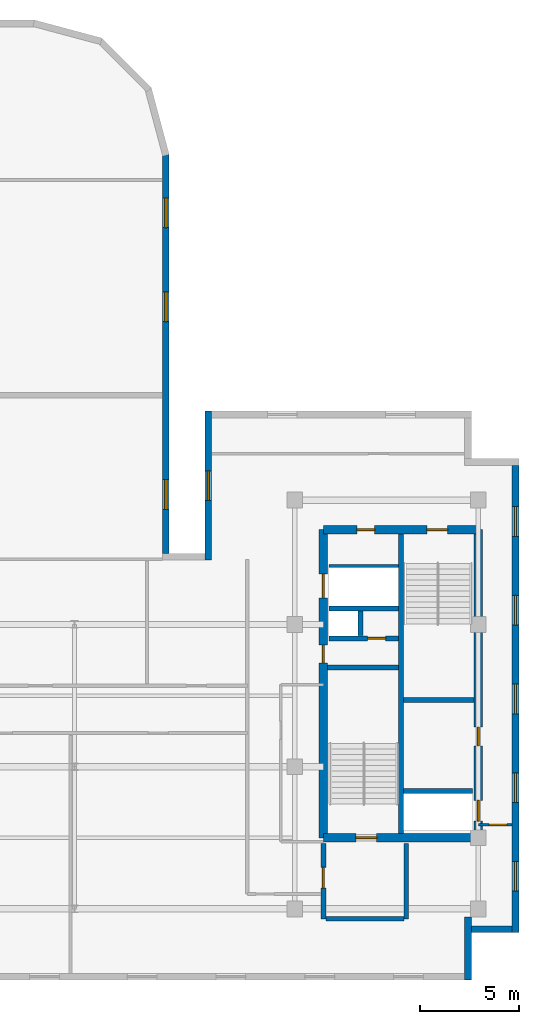
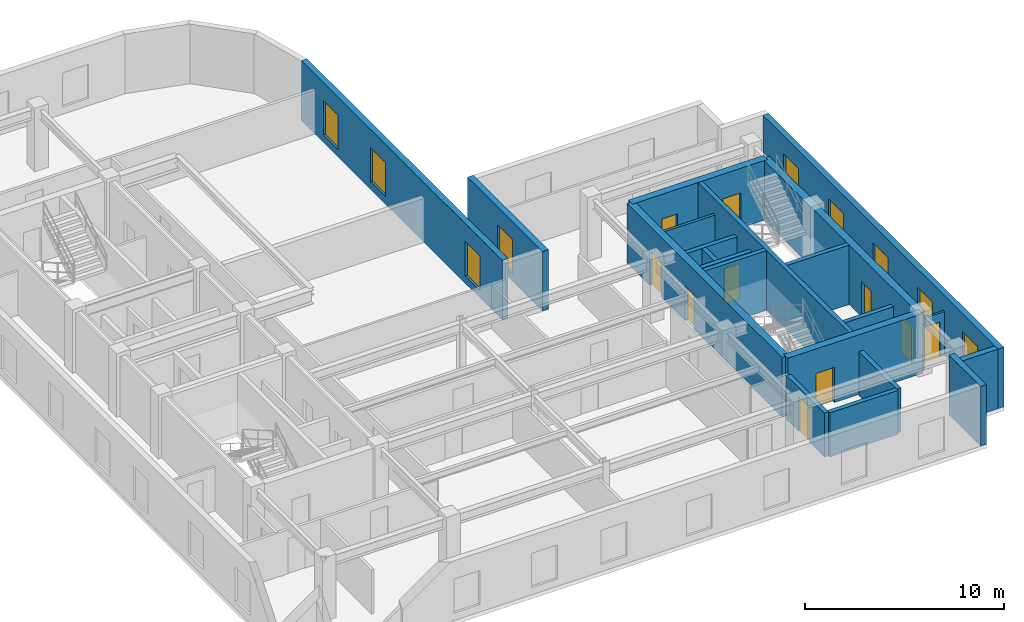
# One storey, part 5 of 9: 21 walls, 10 doors, 9 windows, 19 openings.
"""IFC4 building model written with IfcOpenShell, lengths in metres."""

from ifc_helpers import new_model, entity, si_unit, converted_unit, direction, frame, origin_with_axes, origin_2d_with_axis, place, context, subcontext, project, spatial, polyline, rectangle, outline, extrude, material, layer, layer_set, type_object, element, fill, save


model = new_model("IFC4")

# Units and contexts
model_context = context("Model", 3, precision=1e-05, world=origin_with_axes(), true_north=direction((0.0, 1.0)))
body_context = subcontext(model_context, "Body", "Model", "MODEL_VIEW")
ifc_project = project(units=[si_unit("LENGTHUNIT", "METRE"), si_unit("AREAUNIT", "SQUARE_METRE"), si_unit("VOLUMEUNIT", "CUBIC_METRE"), converted_unit("PLANEANGLEUNIT", "DEGREE", entity("IfcPlaneAngleMeasure", 0.017453292519943295), si_unit("PLANEANGLEUNIT", "RADIAN"), dimensions=[0, 0, 0, 0, 0, 0, 0]), si_unit("MASSUNIT", "GRAM", prefix="KILO"), si_unit("THERMODYNAMICTEMPERATUREUNIT", "KELVIN")], contexts=[model_context])

# Site, building, storey
site_placement = place(None, origin_with_axes())
site = spatial("IfcSite", under=ifc_project, at=site_placement, CompositionType="ELEMENT")
building_placement = place(site_placement, origin_with_axes())
building = spatial("IfcBuilding", under=site, at=building_placement, Name="Varnlund Millrace Tower", CompositionType="ELEMENT")
storey_placement = place(building_placement, frame((0.0, 0.0, 256.8), z_axis=(0.0, 0.0, 1.0), x_axis=(1.0, 0.0, 0.0)))
storey = spatial("IfcBuildingStorey", under=building, at=storey_placement, Name="L63", CompositionType="ELEMENT", Elevation=256.8)

# Wall, openings, doors
ifc_material_1 = material(Name="Concrete C60/75", Category="concrete")
ifc_layer_1 = layer(ifc_material_1, 0.42, Name="Concrete C60/75")
ifc_layer_set_1 = layer_set([ifc_layer_1], Name="Concrete C60/75")
wall_type_1 = type_object("IfcWallType", Name="Type-CoreWall-Shear-420-C60", PredefinedType="SHEAR", material=ifc_layer_set_1)
wall_1_placement = place(storey_placement, frame((40.2, 7.2, 0.0), z_axis=(0.0, 0.0, 1.0), x_axis=(0.0, 1.0, 0.0)))
wall_1 = element("IfcWall", 1, at=wall_1_placement, inside=storey, type_object=wall_type_1, Name="Type-CoreWall-Shear-420-C60", PredefinedType="SHEAR", context=body_context, shape_type="SweptSolid", body=[
    extrude(outline(polyline([(0.0, -0.21), (15.6, -0.21), (15.6, 0.21), (0.0, 0.21), (0.0, -0.21)])), origin_with_axes(), (0.0, 0.0, 1.0), 3.66),
])
opening_1_placement = place(wall_1_placement, frame((12.75, 0.0, 0.0), z_axis=(0.0, 0.0, 1.0), x_axis=(1.0, 0.0, 0.0)))
opening_1 = element("IfcOpeningElement", 2, at=opening_1_placement, cuts=wall_1, Name="Opening L63:LD-SRV2", PredefinedType="OPENING", context=body_context, shape_type="SweptSolid", body=[
    extrude(rectangle(XDim=1.2, YDim=0.44, at=origin_2d_with_axis()), origin_with_axes(), (0.0, 0.0, 1.0), 2.15),
])
opening_2_placement = place(wall_1_placement, frame((9.3, 0.0, 0.0), z_axis=(0.0, 0.0, 1.0), x_axis=(1.0, 0.0, 0.0)))
opening_2 = element("IfcOpeningElement", 3, at=opening_2_placement, cuts=wall_1, Name="Opening L63:DR-CB-JAN", PredefinedType="OPENING", context=body_context, shape_type="SweptSolid", body=[
    extrude(rectangle(XDim=0.9, YDim=0.44, at=origin_2d_with_axis()), origin_with_axes(), (0.0, 0.0, 1.0), 2.15),
])
ifc_material_2 = material(Name="Fire-rated hollow steel service closet door", Category="steel")
door_type_1 = type_object("IfcDoorType", Name="Type-FireDoor-Closet-900X2150", OperationType="NOTDEFINED", PredefinedType="DOOR", material=ifc_material_2)
door_1_placement = place(wall_1_placement, frame((9.3, 0.0, 0.0), z_axis=(0.0, 0.0, 1.0), x_axis=(1.0, 0.0, 0.0)))
door_1 = element("IfcDoor", 4, at=door_1_placement, inside=storey, type_object=door_type_1, Name="Type-FireDoor-Closet-900X2150", OperationType="SINGLE_SWING_RIGHT", OverallHeight=2.15, OverallWidth=0.9, PredefinedType="DOOR", context=body_context, shape_type="SweptSolid", body=[
    extrude(rectangle(XDim=0.9, YDim=0.09, at=origin_2d_with_axis()), origin_with_axes(), (0.0, 0.0, 1.0), 2.15),
])
fill(opening_2, door_1)
ifc_material_3 = material(Name="Heavy-duty freight sliding landing door")
door_type_2 = type_object("IfcDoorType", Name="Type-LiftLandingDoor-Service-1200X2150", OperationType="NOTDEFINED", PredefinedType="DOOR", material=ifc_material_3)
door_2_placement = place(wall_1_placement, frame((12.75, 0.0, 0.0), z_axis=(0.0, 0.0, 1.0), x_axis=(1.0, 0.0, 0.0)))
door_2 = element("IfcDoor", 5, at=door_2_placement, inside=storey, type_object=door_type_2, Name="Type-LiftLandingDoor-Service-1200X2150", OperationType="DOUBLE_DOOR_SLIDING", OverallHeight=2.15, OverallWidth=1.2, PredefinedType="DOOR", context=body_context, shape_type="SweptSolid", body=[
    extrude(rectangle(XDim=1.2, YDim=0.09, at=origin_2d_with_axis()), origin_with_axes(), (0.0, 0.0, 1.0), 2.15),
])
fill(opening_1, door_2)

# Wall, opening, door
wall_2_placement = place(storey_placement, frame((40.2, 7.2, 0.0), z_axis=(0.0, 0.0, 1.0), x_axis=(1.0, 0.0, 0.0)))
wall_2 = element("IfcWall", 6, at=wall_2_placement, inside=storey, type_object=wall_type_1, Name="Type-CoreWall-Shear-420-C60", PredefinedType="SHEAR", context=body_context, shape_type="SweptSolid", body=[
    extrude(outline(polyline([(0.0, -0.21), (7.85, -0.21), (7.85, 0.21), (0.0, 0.21), (0.0, -0.21)])), origin_with_axes(), (0.0, 0.0, 1.0), 3.66),
])
opening_3_placement = place(wall_2_placement, frame((2.175, 0.0, 0.0), z_axis=(0.0, 0.0, 1.0), x_axis=(1.0, 0.0, 0.0)))
opening_3 = element("IfcOpeningElement", 7, at=opening_3_placement, cuts=wall_2, Name="Opening L63:DR-STB1", PredefinedType="OPENING", context=body_context, shape_type="SweptSolid", body=[
    extrude(rectangle(XDim=1.05, YDim=0.44, at=origin_2d_with_axis()), origin_with_axes(), (0.0, 0.0, 1.0), 2.15),
])
ifc_material_4 = material(Name="Fire-rated hollow steel door", Category="steel")
door_type_3 = type_object("IfcDoorType", Name="Type-FireDoor-Stair-1050X2150", OperationType="NOTDEFINED", PredefinedType="DOOR", material=ifc_material_4)
door_3_placement = place(wall_2_placement, frame((2.175, 0.0, 0.0), z_axis=(0.0, 0.0, 1.0), x_axis=(1.0, 0.0, 0.0)))
door_3 = element("IfcDoor", 8, at=door_3_placement, inside=storey, type_object=door_type_3, Name="Type-FireDoor-Stair-1050X2150", OperationType="SINGLE_SWING_LEFT", OverallHeight=2.15, OverallWidth=1.05, PredefinedType="DOOR", context=body_context, shape_type="SweptSolid", body=[
    extrude(rectangle(XDim=1.05, YDim=0.09, at=origin_2d_with_axis()), origin_with_axes(), (0.0, 0.0, 1.0), 2.15),
])
fill(opening_3, door_3)

# Wall, openings, doors
wall_3_placement = place(storey_placement, frame((40.2, 22.8, 0.0), z_axis=(0.0, 0.0, 1.0), x_axis=(1.0, 0.0, 0.0)))
wall_3 = element("IfcWall", 9, at=wall_3_placement, inside=storey, type_object=wall_type_1, Name="Type-CoreWall-Shear-420-C60", PredefinedType="SHEAR", context=body_context, shape_type="SweptSolid", body=[
    extrude(outline(polyline([(0.0, -0.21), (7.85, -0.21), (7.85, 0.21), (0.0, 0.21), (0.0, -0.21)])), origin_with_axes(), (0.0, 0.0, 1.0), 3.66),
])
opening_4_placement = place(wall_3_placement, frame((5.775, 0.0, 0.0), z_axis=(0.0, 0.0, 1.0), x_axis=(1.0, 0.0, 0.0)))
opening_4 = element("IfcOpeningElement", 10, at=opening_4_placement, cuts=wall_3, Name="Opening L63:DR-STB2", PredefinedType="OPENING", context=body_context, shape_type="SweptSolid", body=[
    extrude(rectangle(XDim=1.05, YDim=0.44, at=origin_2d_with_axis()), origin_with_axes(), (0.0, 0.0, 1.0), 2.15),
])
opening_5_placement = place(wall_3_placement, frame((2.15, 0.0, 0.0), z_axis=(0.0, 0.0, 1.0), x_axis=(1.0, 0.0, 0.0)))
opening_5 = element("IfcOpeningElement", 11, at=opening_5_placement, cuts=wall_3, Name="Opening L63:DR-CB-NW", PredefinedType="OPENING", context=body_context, shape_type="SweptSolid", body=[
    extrude(rectangle(XDim=0.9, YDim=0.44, at=origin_2d_with_axis()), origin_with_axes(), (0.0, 0.0, 1.0), 2.15),
])
door_4_placement = place(wall_3_placement, frame((2.15, 0.0, 0.0), z_axis=(0.0, 0.0, 1.0), x_axis=(1.0, 0.0, 0.0)))
door_4 = element("IfcDoor", 12, at=door_4_placement, inside=storey, type_object=door_type_1, Name="Type-FireDoor-Closet-900X2150", OperationType="SINGLE_SWING_LEFT", OverallHeight=2.15, OverallWidth=0.9, PredefinedType="DOOR", context=body_context, shape_type="SweptSolid", body=[
    extrude(rectangle(XDim=0.9, YDim=0.09, at=origin_2d_with_axis()), origin_with_axes(), (0.0, 0.0, 1.0), 2.15),
])
fill(opening_5, door_4)
door_5_placement = place(wall_3_placement, frame((5.775, 0.0, 0.0), z_axis=(0.0, 0.0, 1.0), x_axis=(1.0, 0.0, 0.0)))
door_5 = element("IfcDoor", 13, at=door_5_placement, inside=storey, type_object=door_type_3, Name="Type-FireDoor-Stair-1050X2150", OperationType="SINGLE_SWING_RIGHT", OverallHeight=2.15, OverallWidth=1.05, PredefinedType="DOOR", context=body_context, shape_type="SweptSolid", body=[
    extrude(rectangle(XDim=1.05, YDim=0.09, at=origin_2d_with_axis()), origin_with_axes(), (0.0, 0.0, 1.0), 2.15),
])
fill(opening_4, door_5)

wall_4_placement = place(storey_placement, frame((48.05, 7.2, 0.0), z_axis=(0.0, 0.0, 1.0), x_axis=(0.0, 1.0, 0.0)))
wall_4 = element("IfcWall", 14, at=wall_4_placement, inside=storey, type_object=wall_type_1, Name="Type-CoreWall-Shear-420-C60", PredefinedType="SHEAR", context=body_context, shape_type="SweptSolid", body=[
    extrude(outline(polyline([(0.0, -0.21), (15.6, -0.21), (15.6, 0.21), (0.0, 0.21), (0.0, -0.21)])), origin_with_axes(), (0.0, 0.0, 1.0), 3.66),
])
opening_6_placement = place(wall_4_placement, frame((1.375, 0.0, 0.0), z_axis=(0.0, 0.0, 1.0), x_axis=(1.0, 0.0, 0.0)))
opening_6 = element("IfcOpeningElement", 15, at=opening_6_placement, cuts=wall_4, Name="Opening L63:LD-ELV-H3", PredefinedType="OPENING", context=body_context, shape_type="SweptSolid", body=[
    extrude(rectangle(XDim=1.05, YDim=0.44, at=origin_2d_with_axis()), origin_with_axes(), (0.0, 0.0, 1.0), 2.15),
])
opening_7_placement = place(wall_4_placement, frame((5.125, 0.0, 0.0), z_axis=(0.0, 0.0, 1.0), x_axis=(1.0, 0.0, 0.0)))
opening_7 = element("IfcOpeningElement", 16, at=opening_7_placement, cuts=wall_4, Name="Opening L63:DR-CB-WC", PredefinedType="OPENING", context=body_context, shape_type="SweptSolid", body=[
    extrude(rectangle(XDim=0.95, YDim=0.44, at=origin_2d_with_axis()), origin_with_axes(), (0.0, 0.0, 1.0), 2.15),
])
ifc_material_5 = material(Name="Fire-rated hollow steel core service door", Category="steel")
door_type_4 = type_object("IfcDoorType", Name="Type-FireDoor-Service-950X2150", OperationType="NOTDEFINED", PredefinedType="DOOR", material=ifc_material_5)
door_6_placement = place(wall_4_placement, frame((5.125, 0.0, 0.0), z_axis=(0.0, 0.0, 1.0), x_axis=(1.0, 0.0, 0.0)))
door_6 = element("IfcDoor", 17, at=door_6_placement, inside=storey, type_object=door_type_4, Name="Type-FireDoor-Service-950X2150", OperationType="SINGLE_SWING_LEFT", OverallHeight=2.15, OverallWidth=0.95, PredefinedType="DOOR", context=body_context, shape_type="SweptSolid", body=[
    extrude(rectangle(XDim=0.95, YDim=0.09, at=origin_2d_with_axis()), origin_with_axes(), (0.0, 0.0, 1.0), 2.15),
])
fill(opening_7, door_6)
ifc_material_6 = material(Name="Architectural bronze sliding landing door")
door_type_5 = type_object("IfcDoorType", Name="Type-LiftLandingDoor-Compact-1050X2150", OperationType="NOTDEFINED", PredefinedType="DOOR", material=ifc_material_6)
door_7_placement = place(wall_4_placement, frame((1.375, 0.0, 0.0), z_axis=(0.0, 0.0, 1.0), x_axis=(1.0, 0.0, 0.0)))
door_7 = element("IfcDoor", 18, at=door_7_placement, inside=storey, type_object=door_type_5, Name="Type-LiftLandingDoor-Compact-1050X2150", OperationType="SLIDING_TO_LEFT", OverallHeight=2.15, OverallWidth=1.05, PredefinedType="DOOR", context=body_context, shape_type="SweptSolid", body=[
    extrude(rectangle(XDim=1.05, YDim=0.09, at=origin_2d_with_axis()), origin_with_axes(), (0.0, 0.0, 1.0), 2.15),
])
fill(opening_6, door_7)

# Wall, opening, window
ifc_material_7 = material(Name="Precast concrete C50/60", Category="concrete")
ifc_layer_2 = layer(ifc_material_7, 0.34, Name="Precast concrete C50/60")
ifc_layer_set_2 = layer_set([ifc_layer_2], Name="Precast concrete C50/60")
wall_type_2 = type_object("IfcWallType", Name="Type-ExtWall-Precast-Upper-340", PredefinedType="SOLIDWALL", material=ifc_layer_set_2)
wall_5_placement = place(storey_placement, frame((34.37, 21.26, 0.0), z_axis=(0.0, 0.0, 1.0), x_axis=(0.0, 1.0, 0.0)))
wall_5 = element("IfcWall", 19, at=wall_5_placement, inside=storey, type_object=wall_type_2, Name="Type-ExtWall-Precast-Upper-340", PredefinedType="SOLIDWALL", context=body_context, shape_type="SweptSolid", body=[
    extrude(outline(polyline([(0.0, -0.17), (7.54, -0.17), (7.54, 0.17), (0.0, 0.17), (0.0, -0.17)])), origin_with_axes(), (0.0, 0.0, 1.0), 3.66),
])
opening_8_placement = place(wall_5_placement, frame((3.77, 0.0, 0.45), z_axis=(0.0, 0.0, 1.0), x_axis=(1.0, 0.0, 0.0)))
opening_8 = element("IfcOpeningElement", 20, at=opening_8_placement, cuts=wall_5, Name="Opening L63:WN-01", PredefinedType="OPENING", context=body_context, shape_type="SweptSolid", body=[
    extrude(rectangle(XDim=1.5, YDim=0.36, at=origin_2d_with_axis()), origin_with_axes(), (0.0, 0.0, 1.0), 2.1),
])
ifc_material_8 = material(Name="Argon low-e triple glazing in thermally broken bronze frame", Category="glass")
window_type = type_object("IfcWindowType", Name="Type-Window-Punched-1500X2100", PartitioningType="SINGLE_PANEL", PredefinedType="WINDOW", material=ifc_material_8)
window_1_placement = place(wall_5_placement, frame((3.77, 0.0, 0.45), z_axis=(0.0, 0.0, 1.0), x_axis=(1.0, 0.0, 0.0)))
window_1 = element("IfcWindow", 21, at=window_1_placement, inside=storey, type_object=window_type, Name="Type-Window-Punched-1500X2100", OverallHeight=2.1, OverallWidth=1.5, PredefinedType="WINDOW", context=body_context, shape_type="SweptSolid", body=[
    extrude(rectangle(XDim=1.5, YDim=0.09, at=origin_2d_with_axis()), origin_with_axes(), (0.0, 0.0, 1.0), 2.1),
])
fill(opening_8, window_1)

# Wall, openings, windows
wall_6_placement = place(storey_placement, frame((49.93, 26.06, 0.0), z_axis=(0.0, 0.0, 1.0), x_axis=(0.0, -1.0, 0.0)))
wall_6 = element("IfcWall", 22, at=wall_6_placement, inside=storey, type_object=wall_type_2, Name="Type-ExtWall-Precast-Upper-340", PredefinedType="SOLIDWALL", context=body_context, shape_type="SweptSolid", body=[
    extrude(outline(polyline([(0.0, -0.17), (23.66, -0.17), (23.66, 0.17), (0.0, 0.17), (0.0, -0.17)])), origin_with_axes(), (0.0, 0.0, 1.0), 3.66),
])
opening_9_placement = place(wall_6_placement, frame((2.846, 0.0, 0.45), z_axis=(0.0, 0.0, 1.0), x_axis=(1.0, 0.0, 0.0)))
opening_9 = element("IfcOpeningElement", 23, at=opening_9_placement, cuts=wall_6, Name="Opening L63:WN-04", PredefinedType="OPENING", context=body_context, shape_type="SweptSolid", body=[
    extrude(rectangle(XDim=1.5, YDim=0.36, at=origin_2d_with_axis()), origin_with_axes(), (0.0, 0.0, 1.0), 2.1),
])
opening_10_placement = place(wall_6_placement, frame((7.338, 0.0, 0.45), z_axis=(0.0, 0.0, 1.0), x_axis=(1.0, 0.0, 0.0)))
opening_10 = element("IfcOpeningElement", 24, at=opening_10_placement, cuts=wall_6, Name="Opening L63:WN-05", PredefinedType="OPENING", context=body_context, shape_type="SweptSolid", body=[
    extrude(rectangle(XDim=1.5, YDim=0.36, at=origin_2d_with_axis()), origin_with_axes(), (0.0, 0.0, 1.0), 2.1),
])
opening_11_placement = place(wall_6_placement, frame((11.83, 0.0, 0.45), z_axis=(0.0, 0.0, 1.0), x_axis=(1.0, 0.0, 0.0)))
opening_11 = element("IfcOpeningElement", 25, at=opening_11_placement, cuts=wall_6, Name="Opening L63:WN-06", PredefinedType="OPENING", context=body_context, shape_type="SweptSolid", body=[
    extrude(rectangle(XDim=1.5, YDim=0.36, at=origin_2d_with_axis()), origin_with_axes(), (0.0, 0.0, 1.0), 2.1),
])
opening_12_placement = place(wall_6_placement, frame((16.322, 0.0, 0.45), z_axis=(0.0, 0.0, 1.0), x_axis=(1.0, 0.0, 0.0)))
opening_12 = element("IfcOpeningElement", 26, at=opening_12_placement, cuts=wall_6, Name="Opening L63:WN-07", PredefinedType="OPENING", context=body_context, shape_type="SweptSolid", body=[
    extrude(rectangle(XDim=1.5, YDim=0.36, at=origin_2d_with_axis()), origin_with_axes(), (0.0, 0.0, 1.0), 2.1),
])
opening_13_placement = place(wall_6_placement, frame((20.814, 0.0, 0.45), z_axis=(0.0, 0.0, 1.0), x_axis=(1.0, 0.0, 0.0)))
opening_13 = element("IfcOpeningElement", 27, at=opening_13_placement, cuts=wall_6, Name="Opening L63:WN-08", PredefinedType="OPENING", context=body_context, shape_type="SweptSolid", body=[
    extrude(rectangle(XDim=1.5, YDim=0.36, at=origin_2d_with_axis()), origin_with_axes(), (0.0, 0.0, 1.0), 2.1),
])
window_2_placement = place(wall_6_placement, frame((2.846, 0.0, 0.45), z_axis=(0.0, 0.0, 1.0), x_axis=(1.0, 0.0, 0.0)))
window_2 = element("IfcWindow", 28, at=window_2_placement, inside=storey, type_object=window_type, Name="Type-Window-Punched-1500X2100", OverallHeight=2.1, OverallWidth=1.5, PredefinedType="WINDOW", context=body_context, shape_type="SweptSolid", body=[
    extrude(rectangle(XDim=1.5, YDim=0.09, at=origin_2d_with_axis()), origin_with_axes(), (0.0, 0.0, 1.0), 2.1),
])
fill(opening_9, window_2)
window_3_placement = place(wall_6_placement, frame((7.338, 0.0, 0.45), z_axis=(0.0, 0.0, 1.0), x_axis=(1.0, 0.0, 0.0)))
window_3 = element("IfcWindow", 29, at=window_3_placement, inside=storey, type_object=window_type, Name="Type-Window-Punched-1500X2100", OverallHeight=2.1, OverallWidth=1.5, PredefinedType="WINDOW", context=body_context, shape_type="SweptSolid", body=[
    extrude(rectangle(XDim=1.5, YDim=0.09, at=origin_2d_with_axis()), origin_with_axes(), (0.0, 0.0, 1.0), 2.1),
])
fill(opening_10, window_3)
window_4_placement = place(wall_6_placement, frame((11.83, 0.0, 0.45), z_axis=(0.0, 0.0, 1.0), x_axis=(1.0, 0.0, 0.0)))
window_4 = element("IfcWindow", 30, at=window_4_placement, inside=storey, type_object=window_type, Name="Type-Window-Punched-1500X2100", OverallHeight=2.1, OverallWidth=1.5, PredefinedType="WINDOW", context=body_context, shape_type="SweptSolid", body=[
    extrude(rectangle(XDim=1.5, YDim=0.09, at=origin_2d_with_axis()), origin_with_axes(), (0.0, 0.0, 1.0), 2.1),
])
fill(opening_11, window_4)
window_5_placement = place(wall_6_placement, frame((16.322, 0.0, 0.45), z_axis=(0.0, 0.0, 1.0), x_axis=(1.0, 0.0, 0.0)))
window_5 = element("IfcWindow", 31, at=window_5_placement, inside=storey, type_object=window_type, Name="Type-Window-Punched-1500X2100", OverallHeight=2.1, OverallWidth=1.5, PredefinedType="WINDOW", context=body_context, shape_type="SweptSolid", body=[
    extrude(rectangle(XDim=1.5, YDim=0.09, at=origin_2d_with_axis()), origin_with_axes(), (0.0, 0.0, 1.0), 2.1),
])
fill(opening_12, window_5)
window_6_placement = place(wall_6_placement, frame((20.814, 0.0, 0.45), z_axis=(0.0, 0.0, 1.0), x_axis=(1.0, 0.0, 0.0)))
window_6 = element("IfcWindow", 32, at=window_6_placement, inside=storey, type_object=window_type, Name="Type-Window-Punched-1500X2100", OverallHeight=2.1, OverallWidth=1.5, PredefinedType="WINDOW", context=body_context, shape_type="SweptSolid", body=[
    extrude(rectangle(XDim=1.5, YDim=0.09, at=origin_2d_with_axis()), origin_with_axes(), (0.0, 0.0, 1.0), 2.1),
])
fill(opening_13, window_6)

# Walls
wall_7_placement = place(storey_placement, frame((49.76, 2.57, 0.0), z_axis=(0.0, 0.0, 1.0), x_axis=(-1.0, 0.0, 0.0)))
element("IfcWall", 33, at=wall_7_placement, inside=storey, type_object=wall_type_2, Name="Type-ExtWall-Precast-Upper-340", PredefinedType="SOLIDWALL", context=body_context, shape_type="SweptSolid", body=[
    extrude(outline(polyline([(0.0, -0.17), (2.06, -0.17), (2.06, 0.17), (0.0, 0.17), (0.0, -0.17)])), origin_with_axes(), (0.0, 0.0, 1.0), 3.66),
])
wall_8_placement = place(storey_placement, frame((47.53, 3.2, 0.0), z_axis=(0.0, 0.0, 1.0), x_axis=(0.0, -1.0, 0.0)))
element("IfcWall", 34, at=wall_8_placement, inside=storey, type_object=wall_type_2, Name="Type-ExtWall-Precast-Upper-340", PredefinedType="SOLIDWALL", context=body_context, shape_type="SweptSolid", body=[
    extrude(outline(polyline([(0.0, -0.17), (3.2, -0.17), (3.2, 0.17), (0.0, 0.17), (0.0, -0.17)])), origin_with_axes(), (0.0, 0.0, 1.0), 3.66),
])

# Wall, openings, windows
wall_9_placement = place(storey_placement, frame((32.23, 41.82, 0.0), z_axis=(0.0, 0.0, 1.0), x_axis=(0.0, -1.0, 0.0)))
wall_9 = element("IfcWall", 35, at=wall_9_placement, inside=storey, type_object=wall_type_2, Name="Type-ExtWall-Precast-Upper-340", PredefinedType="SOLIDWALL", context=body_context, shape_type="SweptSolid", body=[
    extrude(outline(polyline([(0.0, -0.17), (20.22, -0.17), (20.22, 0.17), (0.0, 0.17), (0.0, -0.17)])), origin_with_axes(), (0.0, 0.0, 1.0), 3.66),
])
opening_14_placement = place(wall_9_placement, frame((2.978, 0.0, 0.45), z_axis=(0.0, 0.0, 1.0), x_axis=(1.0, 0.0, 0.0)))
opening_14 = element("IfcOpeningElement", 36, at=opening_14_placement, cuts=wall_9, Name="Opening L63:WN-28", PredefinedType="OPENING", context=body_context, shape_type="SweptSolid", body=[
    extrude(rectangle(XDim=1.5, YDim=0.36, at=origin_2d_with_axis()), origin_with_axes(), (0.0, 0.0, 1.0), 2.1),
])
opening_15_placement = place(wall_9_placement, frame((7.732, 0.0, 0.45), z_axis=(0.0, 0.0, 1.0), x_axis=(1.0, 0.0, 0.0)))
opening_15 = element("IfcOpeningElement", 37, at=opening_15_placement, cuts=wall_9, Name="Opening L63:WN-29", PredefinedType="OPENING", context=body_context, shape_type="SweptSolid", body=[
    extrude(rectangle(XDim=1.5, YDim=0.36, at=origin_2d_with_axis()), origin_with_axes(), (0.0, 0.0, 1.0), 2.1),
])
opening_16_placement = place(wall_9_placement, frame((17.242, 0.0, 0.45), z_axis=(0.0, 0.0, 1.0), x_axis=(1.0, 0.0, 0.0)))
opening_16 = element("IfcOpeningElement", 38, at=opening_16_placement, cuts=wall_9, Name="Opening L63:WN-30", PredefinedType="OPENING", context=body_context, shape_type="SweptSolid", body=[
    extrude(rectangle(XDim=1.5, YDim=0.36, at=origin_2d_with_axis()), origin_with_axes(), (0.0, 0.0, 1.0), 2.1),
])
window_7_placement = place(wall_9_placement, frame((2.978, 0.0, 0.45), z_axis=(0.0, 0.0, 1.0), x_axis=(1.0, 0.0, 0.0)))
window_7 = element("IfcWindow", 39, at=window_7_placement, inside=storey, type_object=window_type, Name="Type-Window-Punched-1500X2100", OverallHeight=2.1, OverallWidth=1.5, PredefinedType="WINDOW", context=body_context, shape_type="SweptSolid", body=[
    extrude(rectangle(XDim=1.5, YDim=0.09, at=origin_2d_with_axis()), origin_with_axes(), (0.0, 0.0, 1.0), 2.1),
])
fill(opening_14, window_7)
window_8_placement = place(wall_9_placement, frame((7.732, 0.0, 0.45), z_axis=(0.0, 0.0, 1.0), x_axis=(1.0, 0.0, 0.0)))
window_8 = element("IfcWindow", 40, at=window_8_placement, inside=storey, type_object=window_type, Name="Type-Window-Punched-1500X2100", OverallHeight=2.1, OverallWidth=1.5, PredefinedType="WINDOW", context=body_context, shape_type="SweptSolid", body=[
    extrude(rectangle(XDim=1.5, YDim=0.09, at=origin_2d_with_axis()), origin_with_axes(), (0.0, 0.0, 1.0), 2.1),
])
fill(opening_15, window_8)
window_9_placement = place(wall_9_placement, frame((17.242, 0.0, 0.45), z_axis=(0.0, 0.0, 1.0), x_axis=(1.0, 0.0, 0.0)))
window_9 = element("IfcWindow", 41, at=window_9_placement, inside=storey, type_object=window_type, Name="Type-Window-Punched-1500X2100", OverallHeight=2.1, OverallWidth=1.5, PredefinedType="WINDOW", context=body_context, shape_type="SweptSolid", body=[
    extrude(rectangle(XDim=1.5, YDim=0.09, at=origin_2d_with_axis()), origin_with_axes(), (0.0, 0.0, 1.0), 2.1),
])
fill(opening_16, window_9)

# Wall
ifc_material_9 = material(Name="Fire-rated gypsum board on cold-formed steel framing", Category="steel")
ifc_layer_3 = layer(ifc_material_9, 0.16, Name="Fire-rated gypsum board on cold-formed steel framing")
ifc_layer_set_3 = layer_set([ifc_layer_3], Name="Fire-rated gypsum board on cold-formed steel framing")
wall_type_3 = type_object("IfcWallType", Name="Type-Partition-Corridor-160", PredefinedType="PARTITIONING", material=ifc_layer_set_3)
wall_10_placement = place(storey_placement, frame((40.5, 20.96, 0.0), z_axis=(0.0, 0.0, 1.0), x_axis=(1.0, 0.0, 0.0)))
element("IfcWall", 42, at=wall_10_placement, inside=storey, type_object=wall_type_3, Name="Type-Partition-Corridor-160", PredefinedType="PARTITIONING", context=body_context, shape_type="SweptSolid", body=[
    extrude(outline(polyline([(0.0, -0.08), (3.5, -0.08), (3.5, 0.08), (0.0, 0.08), (0.0, -0.08)])), origin_with_axes(), (0.0, 0.0, 1.0), 2.7),
])

# Wall, opening, door
ifc_material_10 = material(Name="Gypsum board tenant partition", Category="gypsum")
ifc_layer_4 = layer(ifc_material_10, 0.125, Name="Gypsum board tenant partition")
ifc_layer_set_4 = layer_set([ifc_layer_4], Name="Gypsum board tenant partition")
wall_type_4 = type_object("IfcWallType", Name="Type-Partition-Tenant-125", PredefinedType="PARTITIONING", material=ifc_layer_set_4)
wall_11_placement = place(storey_placement, frame((49.765, 7.85, 0.0), z_axis=(0.0, 0.0, 1.0), x_axis=(-1.0, 0.0, 0.0)))
wall_11 = element("IfcWall", 43, at=wall_11_placement, inside=storey, type_object=wall_type_4, Name="Type-Partition-Tenant-125", PredefinedType="PARTITIONING", context=body_context, shape_type="SweptSolid", body=[
    extrude(outline(polyline([(0.0, -0.0625), (1.715, -0.0625), (1.715, 0.0625), (0.0, 0.0625), (0.0, -0.0625)])), origin_with_axes(), (0.0, 0.0, 1.0), 2.7),
])
opening_17_placement = place(wall_11_placement, frame((0.725, 0.0, 0.0), z_axis=(0.0, 0.0, 1.0), x_axis=(1.0, 0.0, 0.0)))
opening_17 = element("IfcOpeningElement", 44, at=opening_17_placement, cuts=wall_11, Name="Opening L63:DR-WBS-01", PredefinedType="OPENING", context=body_context, shape_type="SweptSolid", body=[
    extrude(rectangle(XDim=0.9, YDim=0.145, at=origin_2d_with_axis()), origin_with_axes(), (0.0, 0.0, 1.0), 2.15),
])
ifc_material_11 = material(Name="Painted steel riser and closet door", Category="steel")
door_type_6 = type_object("IfcDoorType", Name="Type-IntDoor-Closet-900X2150", OperationType="NOTDEFINED", PredefinedType="DOOR", material=ifc_material_11)
door_8_placement = place(wall_11_placement, frame((0.725, 0.0, 0.0), z_axis=(0.0, 0.0, 1.0), x_axis=(1.0, 0.0, 0.0)))
door_8 = element("IfcDoor", 45, at=door_8_placement, inside=storey, type_object=door_type_6, Name="Type-IntDoor-Closet-900X2150", OperationType="SINGLE_SWING_LEFT", OverallHeight=2.15, OverallWidth=0.9, PredefinedType="DOOR", context=body_context, shape_type="SweptSolid", body=[
    extrude(rectangle(XDim=0.9, YDim=0.075, at=origin_2d_with_axis()), origin_with_axes(), (0.0, 0.0, 1.0), 2.15),
])
fill(opening_17, door_8)

ifc_layer_5 = layer(ifc_material_1, 0.25, Name="Concrete C60/75")
ifc_layer_set_5 = layer_set([ifc_layer_5], Name="Concrete C60/75")
wall_type_5 = type_object("IfcWallType", Name="Type-ShaftWall-Fire-250", PredefinedType="SOLIDWALL", material=ifc_layer_set_5)
wall_12_placement = place(storey_placement, frame((40.5, 17.3, 0.0), z_axis=(0.0, 0.0, 1.0), x_axis=(1.0, 0.0, 0.0)))
wall_12 = element("IfcWall", 46, at=wall_12_placement, inside=storey, type_object=wall_type_5, Name="Type-ShaftWall-Fire-250", PredefinedType="SOLIDWALL", context=body_context, shape_type="SweptSolid", body=[
    extrude(outline(polyline([(0.0, -0.125), (3.5, -0.125), (3.5, 0.125), (0.0, 0.125), (0.0, -0.125)])), origin_with_axes(), (0.0, 0.0, 1.0), 2.7),
])
opening_18_placement = place(wall_12_placement, frame((2.4, 0.0, 0.0), z_axis=(0.0, 0.0, 1.0), x_axis=(1.0, 0.0, 0.0)))
opening_18 = element("IfcOpeningElement", 47, at=opening_18_placement, cuts=wall_12, Name="Opening L63:DR-CB-ELC", PredefinedType="OPENING", context=body_context, shape_type="SweptSolid", body=[
    extrude(rectangle(XDim=0.9, YDim=0.27, at=origin_2d_with_axis()), origin_with_axes(), (0.0, 0.0, 1.0), 2.15),
])
door_9_placement = place(wall_12_placement, frame((2.4, 0.0, 0.0), z_axis=(0.0, 0.0, 1.0), x_axis=(1.0, 0.0, 0.0)))
door_9 = element("IfcDoor", 48, at=door_9_placement, inside=storey, type_object=door_type_1, Name="Type-FireDoor-Closet-900X2150", OperationType="SINGLE_SWING_LEFT", OverallHeight=2.15, OverallWidth=0.9, PredefinedType="DOOR", context=body_context, shape_type="SweptSolid", body=[
    extrude(rectangle(XDim=0.9, YDim=0.09, at=origin_2d_with_axis()), origin_with_axes(), (0.0, 0.0, 1.0), 2.15),
])
fill(opening_18, door_9)

# Walls
wall_13_placement = place(storey_placement, frame((40.5, 18.8, 0.0), z_axis=(0.0, 0.0, 1.0), x_axis=(1.0, 0.0, 0.0)))
element("IfcWall", 49, at=wall_13_placement, inside=storey, type_object=wall_type_5, Name="Type-ShaftWall-Fire-250", PredefinedType="SOLIDWALL", context=body_context, shape_type="SweptSolid", body=[
    extrude(outline(polyline([(0.0, -0.125), (3.5, -0.125), (3.5, 0.125), (0.0, 0.125), (0.0, -0.125)])), origin_with_axes(), (0.0, 0.0, 1.0), 2.7),
])
wall_14_placement = place(storey_placement, frame((42.075, 17.43, 0.0), z_axis=(0.0, 0.0, 1.0), x_axis=(0.0, 1.0, 0.0)))
element("IfcWall", 50, at=wall_14_placement, inside=storey, type_object=wall_type_5, Name="Type-ShaftWall-Fire-250", PredefinedType="SOLIDWALL", context=body_context, shape_type="SweptSolid", body=[
    extrude(outline(polyline([(0.0, -0.125), (1.24, -0.125), (1.24, 0.125), (0.0, 0.125), (0.0, -0.125)])), origin_with_axes(), (0.0, 0.0, 1.0), 2.7),
])

# Wall, opening, door
wall_15_placement = place(storey_placement, frame((40.2, 3.1, 0.0), z_axis=(0.0, 0.0, 1.0), x_axis=(0.0, 1.0, 0.0)))
wall_15 = element("IfcWall", 51, at=wall_15_placement, inside=storey, type_object=wall_type_5, Name="Type-ShaftWall-Fire-250", PredefinedType="SOLIDWALL", context=body_context, shape_type="SweptSolid", body=[
    extrude(outline(polyline([(0.0, -0.125), (3.8, -0.125), (3.8, 0.125), (0.0, 0.125), (0.0, -0.125)])), origin_with_axes(), (0.0, 0.0, 1.0), 2.7),
])
opening_19_placement = place(wall_15_placement, frame((2.075, 0.0, 0.0), z_axis=(0.0, 0.0, 1.0), x_axis=(1.0, 0.0, 0.0)))
opening_19 = element("IfcOpeningElement", 52, at=opening_19_placement, cuts=wall_15, Name="Opening L63:DR-FFLOB-B", PredefinedType="OPENING", context=body_context, shape_type="SweptSolid", body=[
    extrude(rectangle(XDim=1.05, YDim=0.27, at=origin_2d_with_axis()), origin_with_axes(), (0.0, 0.0, 1.0), 2.15),
])
ifc_material_12 = material(Name="Smoke-barrier hollow steel fire door", Category="steel")
door_type_7 = type_object("IfcDoorType", Name="Type-FireDoor-Lobby-1050X2150", OperationType="NOTDEFINED", PredefinedType="DOOR", material=ifc_material_12)
door_10_placement = place(wall_15_placement, frame((2.075, 0.0, 0.0), z_axis=(0.0, 0.0, 1.0), x_axis=(1.0, 0.0, 0.0)))
door_10 = element("IfcDoor", 53, at=door_10_placement, inside=storey, type_object=door_type_7, Name="Type-FireDoor-Lobby-1050X2150", OperationType="SINGLE_SWING_LEFT", OverallHeight=2.15, OverallWidth=1.05, PredefinedType="DOOR", context=body_context, shape_type="SweptSolid", body=[
    extrude(rectangle(XDim=1.05, YDim=0.09, at=origin_2d_with_axis()), origin_with_axes(), (0.0, 0.0, 1.0), 2.15),
])
fill(opening_19, door_10)

# Walls
wall_16_placement = place(storey_placement, frame((40.325, 3.1, 0.0), z_axis=(0.0, 0.0, 1.0), x_axis=(1.0, 0.0, 0.0)))
element("IfcWall", 54, at=wall_16_placement, inside=storey, type_object=wall_type_5, Name="Type-ShaftWall-Fire-250", PredefinedType="SOLIDWALL", context=body_context, shape_type="SweptSolid", body=[
    extrude(outline(polyline([(0.0, -0.125), (3.95, -0.125), (3.95, 0.125), (0.0, 0.125), (0.0, -0.125)])), origin_with_axes(), (0.0, 0.0, 1.0), 2.7),
])
wall_17_placement = place(storey_placement, frame((44.4, 3.1, 0.0), z_axis=(0.0, 0.0, 1.0), x_axis=(0.0, 1.0, 0.0)))
element("IfcWall", 55, at=wall_17_placement, inside=storey, type_object=wall_type_5, Name="Type-ShaftWall-Fire-250", PredefinedType="SOLIDWALL", context=body_context, shape_type="SweptSolid", body=[
    extrude(outline(polyline([(0.0, -0.125), (3.8, -0.125), (3.8, 0.125), (0.0, 0.125), (0.0, -0.125)])), origin_with_axes(), (0.0, 0.0, 1.0), 2.7),
])
wall_18_placement = place(storey_placement, frame((44.25, 9.56, 0.0), z_axis=(0.0, 0.0, 1.0), x_axis=(1.0, 0.0, 0.0)))
element("IfcWall", 56, at=wall_18_placement, inside=storey, type_object=wall_type_5, Name="Type-ShaftWall-Fire-250", PredefinedType="SOLIDWALL", context=body_context, shape_type="SweptSolid", body=[
    extrude(outline(polyline([(0.0, -0.125), (3.5, -0.125), (3.5, 0.125), (0.0, 0.125), (0.0, -0.125)])), origin_with_axes(), (0.0, 0.0, 1.0), 2.7),
])
wall_type_6 = type_object("IfcWallType", Name="Type-StairWall-Shear-250", PredefinedType="SHEAR", material=ifc_layer_set_5)
wall_19_placement = place(storey_placement, frame((44.125, 7.41, 0.0), z_axis=(0.0, 0.0, 1.0), x_axis=(0.0, 1.0, 0.0)))
element("IfcWall", 57, at=wall_19_placement, inside=storey, type_object=wall_type_6, Name="Type-StairWall-Shear-250", PredefinedType="SHEAR", context=body_context, shape_type="SweptSolid", body=[
    extrude(outline(polyline([(0.0, -0.125), (15.18, -0.125), (15.18, 0.125), (0.0, 0.125), (0.0, -0.125)])), origin_with_axes(), (0.0, 0.0, 1.0), 3.66),
])
for number, where, z_axis, x_axis, name in (
    (58, (40.41, 15.825, 0.0), (0.0, 0.0, 1.0), (1.0, 0.0, 0.0), "Type-StairWall-Shear-250"),
    (59, (44.25, 14.175, 0.0), (0.0, 0.0, 1.0), (1.0, 0.0, 0.0), "Type-StairWall-Shear-250"),
):
    element("IfcWall", number, at=place(storey_placement, frame(where, z_axis=z_axis, x_axis=x_axis)), inside=storey, type_object=wall_type_6, Name=name, PredefinedType="SHEAR", context=body_context, shape_type="SweptSolid", body=[
        extrude(outline(polyline([(0.0, -0.125), (3.59, -0.125), (3.59, 0.125), (0.0, 0.125), (0.0, -0.125)])), origin_with_axes(), (0.0, 0.0, 1.0), 3.66),
    ])

save(model, "model.ifc")
